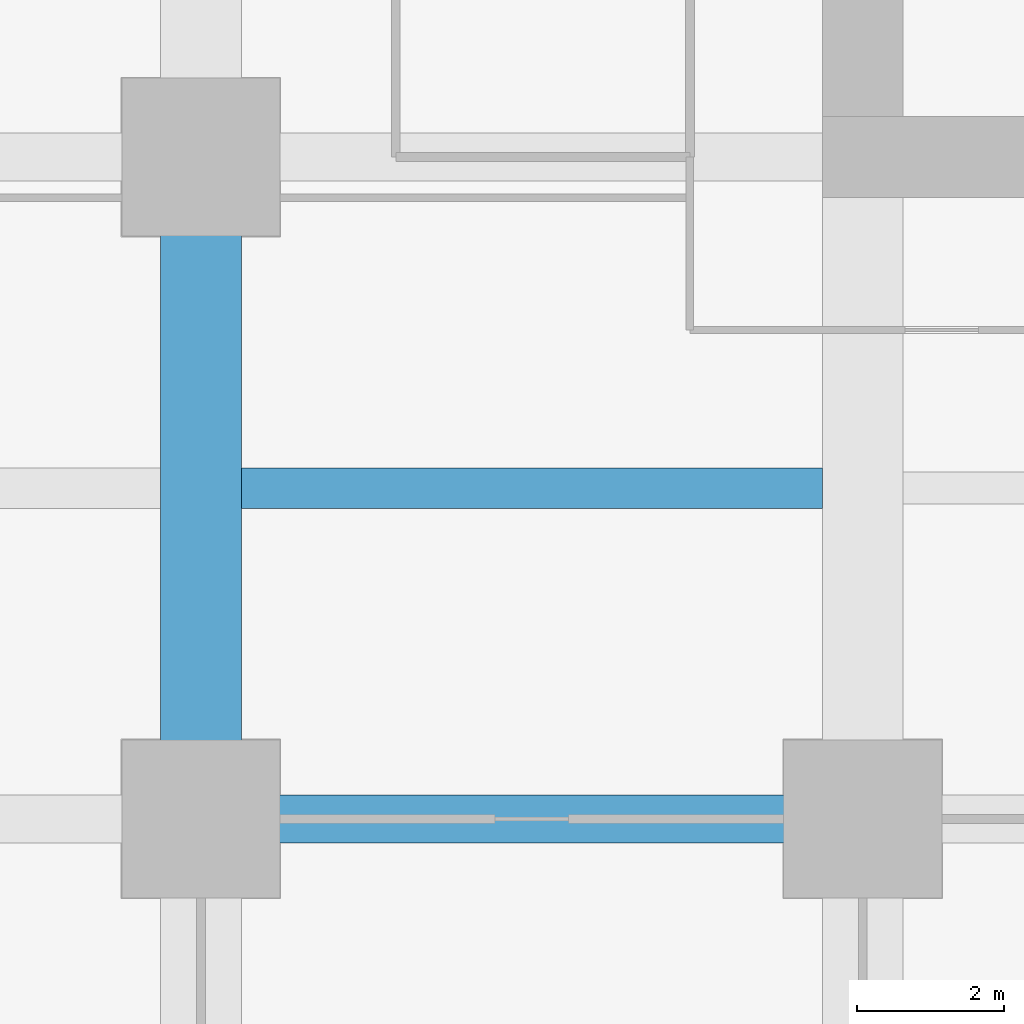
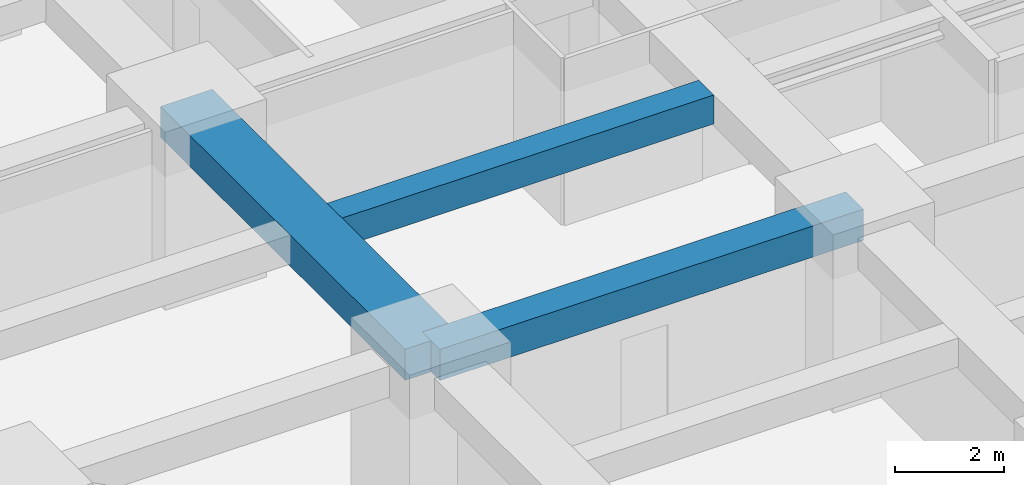
# One storey, part 5 of 44: 3 beams.
"""IFC4 building model written with IfcOpenShell, lengths in metres."""

from ifc_helpers import new_model, si_unit, direction, frame, origin, origin_2d, place, context, subcontext, project, spatial, rectangle, extrude, material, material_profile, profile_set, type_object, element, save


model = new_model("IFC4")

# Units and contexts
model_context = context("Model", 3, precision=1e-05, world=origin(), true_north=direction((0.0, 1.0)))
body_context = subcontext(model_context, "Body", "Model", "MODEL_VIEW")
ifc_project = project(units=[si_unit("LENGTHUNIT", "METRE"), si_unit("AREAUNIT", "SQUARE_METRE"), si_unit("VOLUMEUNIT", "CUBIC_METRE"), si_unit("PLANEANGLEUNIT", "RADIAN"), si_unit("MASSUNIT", "GRAM", prefix="KILO")], contexts=[model_context])

# Site, building, storey
site_placement = place(None, origin())
site = spatial("IfcSite", under=ifc_project, at=site_placement, CompositionType="ELEMENT")
building_placement = place(site_placement, origin())
building = spatial("IfcBuilding", under=site, at=building_placement, Name="Zorevar Civic Tower", CompositionType="ELEMENT")
storey_placement = place(building_placement, frame((0.0, 0.0, 55.800048828125)))
storey = spatial("IfcBuildingStorey", under=building, at=storey_placement, Name="L13", CompositionType="ELEMENT", Elevation=55.800048828125)

# Beams
ifc_material_1 = material(Name="Concrete C50/60", Category="concrete")
ifc_material_profile_1 = material_profile(ifc_material_1, rectangle(XDim=1.10009765625, YDim=0.699951171875, at=origin_2d()), Name="RC 1100x700")
ifc_profile_set_1 = profile_set([ifc_material_profile_1], Name="Concrete C50/60")
beam_type_1 = type_object("IfcBeamType", Name="Beam RC 1100x700", PredefinedType="BEAM", material=ifc_profile_set_1)
beam_1_placement = place(storey_placement, frame((9.0, 9.0, 3.39990234375), z_axis=(0.0, 1.0, 0.0), x_axis=(-1.0, 0.0, 0.0)))
element("IfcBeam", 1, at=beam_1_placement, inside=storey, type_object=beam_type_1, Name="Girder L14", PredefinedType="BEAM", context=body_context, shape_type="SweptSolid", body=[
    extrude(rectangle(XDim=1.10009765625, YDim=0.699951171875, at=origin_2d()), origin(), (0.0, 0.0, 1.0), 9.0),
])
ifc_material_2 = material(Name="Concrete C50/60", Category="concrete")
ifc_material_profile_2 = material_profile(ifc_material_2, rectangle(XDim=0.550048828125, YDim=0.64990234375, at=origin_2d()), Name="RC 550x650")
ifc_profile_set_2 = profile_set([ifc_material_profile_2], Name="Concrete C50/60")
beam_type_2 = type_object("IfcBeamType", Name="Beam RC 550x650", PredefinedType="BEAM", material=ifc_profile_set_2)
beam_2_placement = place(storey_placement, frame((9.550048828125, 13.5, 3.425048828125), z_axis=(1.0, 0.0, 0.0), x_axis=(0.0, 1.0, 0.0)))
element("IfcBeam", 2, at=beam_2_placement, inside=storey, type_object=beam_type_2, Name="Secondary beam L14", PredefinedType="BEAM", context=body_context, shape_type="SweptSolid", body=[
    extrude(rectangle(XDim=0.550048828125, YDim=0.64990234375, at=origin_2d()), origin(), (0.0, 0.0, 1.0), 7.89990234375),
])
ifc_material_3 = material(Name="Concrete C50/60", Category="concrete")
ifc_material_profile_3 = material_profile(ifc_material_3, rectangle(XDim=0.64990234375, YDim=0.699951171875, at=origin_2d()), Name="RC 650x700")
ifc_profile_set_3 = profile_set([ifc_material_profile_3], Name="Concrete C50/60")
beam_type_3 = type_object("IfcBeamType", Name="Beam RC 650x700", PredefinedType="BEAM", material=ifc_profile_set_3)
beam_3_placement = place(storey_placement, frame((9.0, 9.0, 3.39990234375), z_axis=(1.0, 0.0, 0.0), x_axis=(0.0, 1.0, 0.0)))
element("IfcBeam", 3, at=beam_3_placement, inside=storey, type_object=beam_type_3, Name="Girder L14", PredefinedType="BEAM", context=body_context, shape_type="SweptSolid", body=[
    extrude(rectangle(XDim=0.64990234375, YDim=0.699951171875, at=origin_2d()), origin(), (0.0, 0.0, 1.0), 9.0),
])

save(model, "model.ifc")
